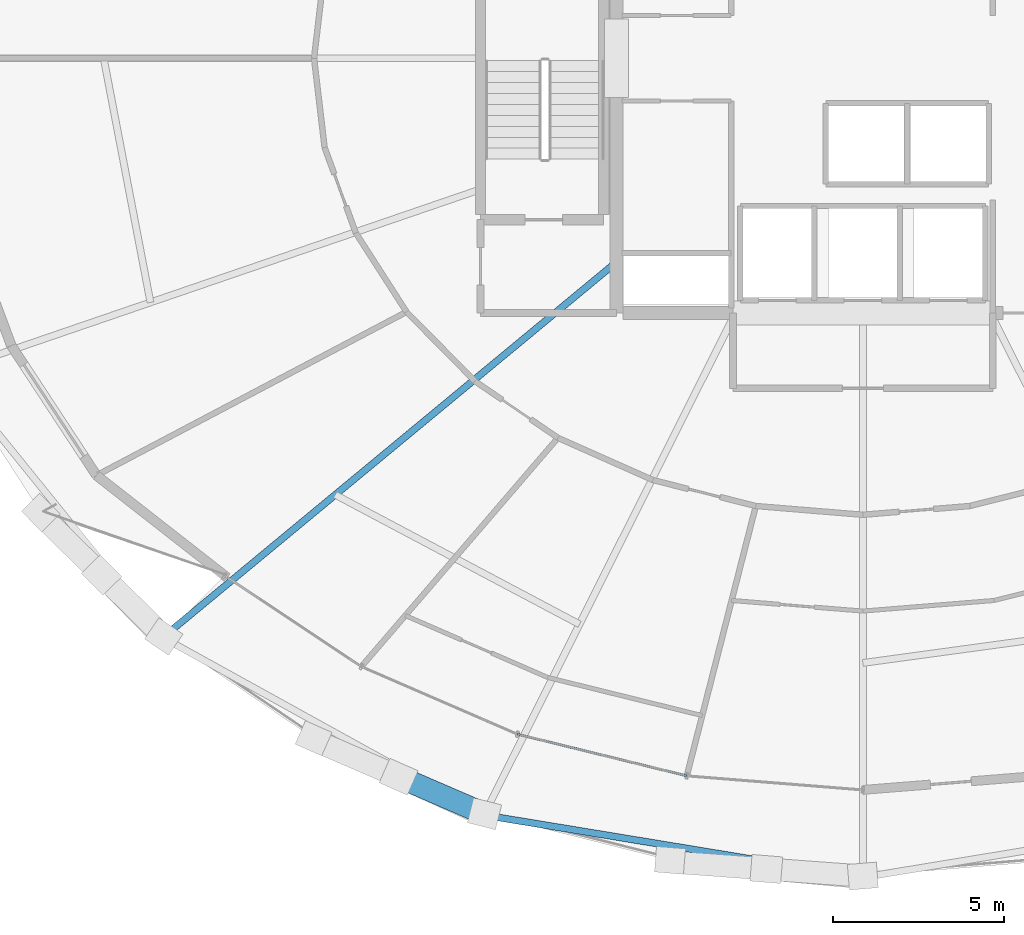
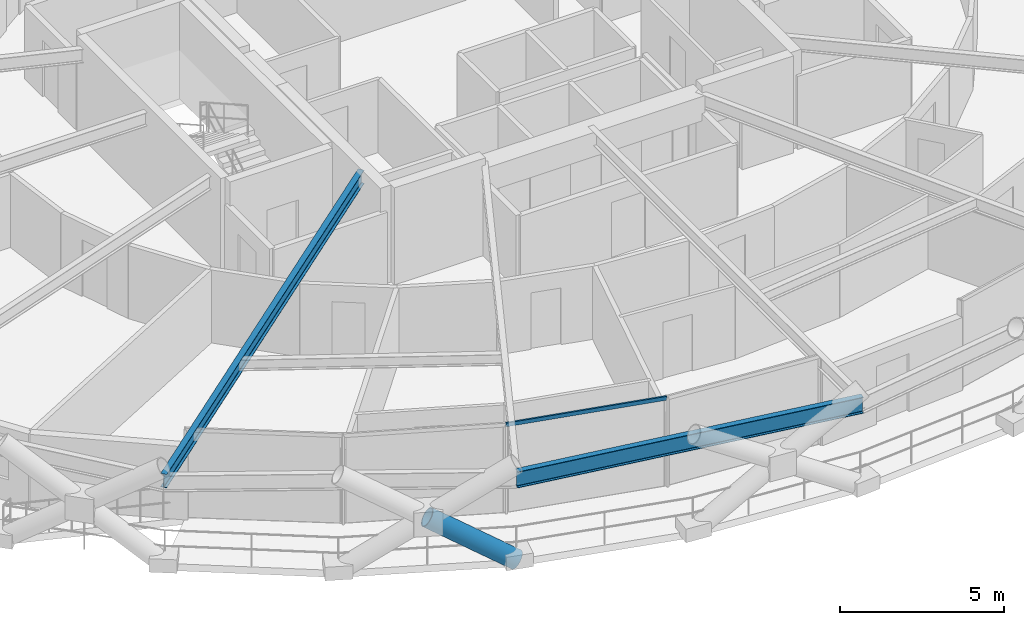
# One storey, part 3 of 19: 2 beams, 2 members, 1 element without a shape of its own.
"""IFC4 building model written with IfcOpenShell, lengths in metres."""

from ifc_helpers import new_model, si_unit, direction, frame, origin, origin_2d, place, context, subcontext, project, spatial, hollow_rectangle, hollow_circle, i_section, extrude, material, layer, layer_set, material_profile, profile_set, type_object, element, aggregate, save


model = new_model("IFC4")

# Units and contexts
model_context = context("Model", 3, precision=1e-05, world=origin(), true_north=direction((0.0, 1.0)))
body_context = subcontext(model_context, "Body", "Model", "MODEL_VIEW")
ifc_project = project(units=[si_unit("LENGTHUNIT", "METRE"), si_unit("AREAUNIT", "SQUARE_METRE"), si_unit("VOLUMEUNIT", "CUBIC_METRE"), si_unit("PLANEANGLEUNIT", "RADIAN"), si_unit("MASSUNIT", "GRAM", prefix="KILO")], contexts=[model_context])

# Site, building, storey
site_placement = place(None, origin())
site = spatial("IfcSite", under=ifc_project, at=site_placement, CompositionType="ELEMENT")
building_placement = place(site_placement, origin())
building = spatial("IfcBuilding", under=site, at=building_placement, Name="Veldorina Hangang Commons", CompositionType="ELEMENT")
storey_placement = place(building_placement, frame((0.0, 0.0, 70.0)))
storey = spatial("IfcBuildingStorey", under=building, at=storey_placement, Name="L17", CompositionType="ELEMENT", Elevation=70.0)

# Beams
ifc_material_1 = material(Name="Steel SM420-TMC", Category="steel")
ifc_material_profile_1 = material_profile(ifc_material_1, i_section(OverallWidth=0.199951171875, OverallDepth=0.5, WebThickness=0.010009765625, FlangeThickness=0.01611328125, FilletRadius=0.01611328125, at=origin_2d()), Name="H-500x200x10x16")
ifc_profile_set_1 = profile_set([ifc_material_profile_1], Name="Steel SM420-TMC")
beam_type_1 = type_object("IfcBeamType", Name="BM-FG500", PredefinedType="BEAM", material=ifc_profile_set_1)
beam_1_placement = place(storey_placement, frame((24.800048828125, 18.043212890625, 3.090087890625), z_axis=(-0.770495357235, -0.637445609036, 0.0), x_axis=(0.637445609036, -0.770495357235, 0.0)))
element("IfcBeam", 1, at=beam_1_placement, inside=storey, type_object=beam_type_1, Name="L17 radial floor girder 11", PredefinedType="BEAM", context=body_context, shape_type="SweptSolid", body=[
    extrude(i_section(OverallWidth=0.199951171875, OverallDepth=0.5, WebThickness=0.010009765625, FlangeThickness=0.01611328125, FilletRadius=0.01611328125, at=origin_2d()), origin(), (0.0, 0.0, 1.0), 17.228515625),
])
ifc_material_profile_2 = material_profile(ifc_material_1, i_section(OverallWidth=0.199951171875, OverallDepth=0.60009765625, WebThickness=0.010986328125, FlangeThickness=0.01708984375, FilletRadius=0.01806640625, at=origin_2d()), Name="H-600x200x11x17")
ifc_profile_set_2 = profile_set([ifc_material_profile_2], Name="Steel SM420-TMC")
beam_type_2 = type_object("IfcBeamType", Name="BM-RB600", PredefinedType="BEAM", material=ifc_profile_set_2)
beam_2_placement = place(storey_placement, frame((20.91943359375, 1.868408203125, 3.0400390625), z_axis=(0.986727963454, -0.162382037611, 0.0), x_axis=(0.162382037611, 0.986727963454, 0.0)))
element("IfcBeam", 2, at=beam_2_placement, inside=storey, type_object=beam_type_2, Name="L17 perimeter hoop ring beam 22", PredefinedType="BEAM", context=body_context, shape_type="SweptSolid", body=[
    extrude(i_section(OverallWidth=0.199951171875, OverallDepth=0.60009765625, WebThickness=0.010986328125, FlangeThickness=0.01708984375, FilletRadius=0.01806640625, at=origin_2d()), origin(), (0.0, 0.0, 1.0), 11.2294921875),
])

# Curtain wall, member
ifc_material_2 = material(Name="Glass Low-E Triple IGU", Category="glass")
ifc_layer = layer(ifc_material_2, 0.179931640625)
ifc_layer_set = layer_set([ifc_layer], Name="Glass Low-E Triple IGU")
curtain_wall_type = type_object("IfcCurtainWallType", Name="CW-SYS-Z1", PredefinedType="NOTDEFINED", material=ifc_layer_set)
curtain_wall_placement = place(storey_placement, origin())
curtain_wall = element("IfcCurtainWall", 3, at=curtain_wall_placement, inside=storey, type_object=curtain_wall_type, Name="L17 unitised curtain wall CW-L17-R1", PredefinedType="NOTDEFINED")
ifc_material_3 = material(Name="Aluminium Anodized AA6063-T6", Category="aluminium")
ifc_material_profile_3 = material_profile(ifc_material_3, hollow_rectangle(XDim=0.06005859375, YDim=0.139892578125, WallThickness=0.00341796875, at=origin_2d()), Name="ALU-RHS-140x60x3.5")
ifc_profile_set_3 = profile_set([ifc_material_profile_3], Name="Aluminium Anodized AA6063-T6")
member_type_1 = type_object("IfcMemberType", Name="CW-TRN-140", PredefinedType="USERDEFINED", material=ifc_profile_set_3)
member_1_placement = place(storey_placement, frame((21.898681640625, 4.23291015625, 3.260009765625), z_axis=(0.971075879005, -0.238771097949, 0.0), x_axis=(0.238771097949, 0.971075879005, 0.0)))
member_1 = element("IfcMember", 4, at=member_1_placement, type_object=member_type_1, Name="CW-L17-R1 facet 3 transom 1", ObjectType="TRANSOM", PredefinedType="USERDEFINED", context=body_context, shape_type="SweptSolid", body=[
    extrude(hollow_rectangle(XDim=0.06005859375, YDim=0.139892578125, WallThickness=0.00341796875, at=origin_2d()), origin(), (0.0, 0.0, 1.0), 5.09912109375),
])
aggregate(curtain_wall, [member_1])

# Member
ifc_material_4 = material(Name="Steel SM460-TMC", Category="steel")
ifc_material_profile_4 = material_profile(ifc_material_4, hollow_circle(Radius=0.324951171875, WallThickness=0.031982421875, at=origin_2d()), Name="CHS-650x32")
ifc_profile_set_4 = profile_set([ifc_material_profile_4], Name="Steel SM460-TMC")
member_type_2 = type_object("IfcMemberType", Name="DG-CHS650", PredefinedType="BRACE", material=ifc_profile_set_4)
member_2_placement = place(storey_placement, frame((20.934326171875, 1.90478515625, 0.0), z_axis=(-0.76701383022, 0.331256289021, 0.549508011984), x_axis=(-0.396482189889, -0.918042413563, 0.0)))
element("IfcMember", 5, at=member_2_placement, inside=storey, type_object=member_type_2, Name="L17 split perimeter diagrid lower brace 22", PredefinedType="BRACE", context=body_context, shape_type="SweptSolid", body=[
    extrude(hollow_circle(Radius=0.324951171875, WallThickness=0.031982421875, at=origin_2d()), origin(), (0.0, 0.0, 1.0), 3.273193359375),
])

save(model, "model.ifc")
